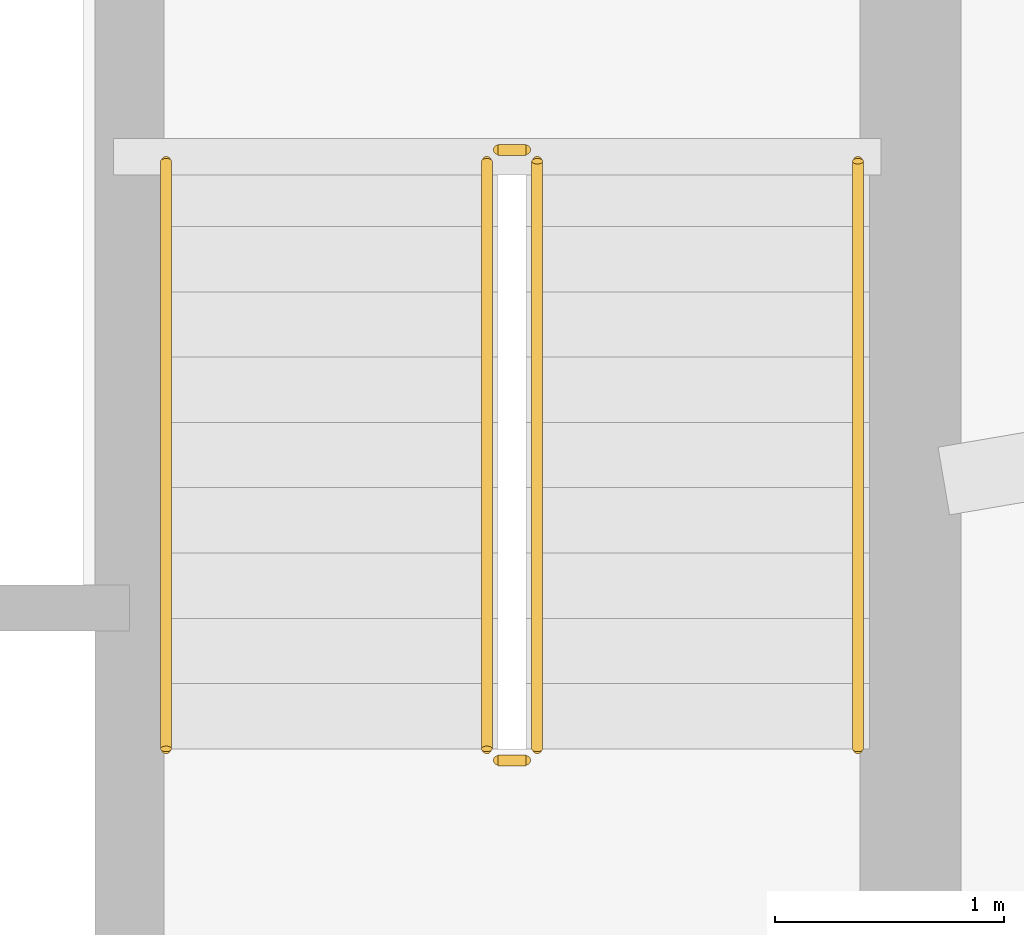
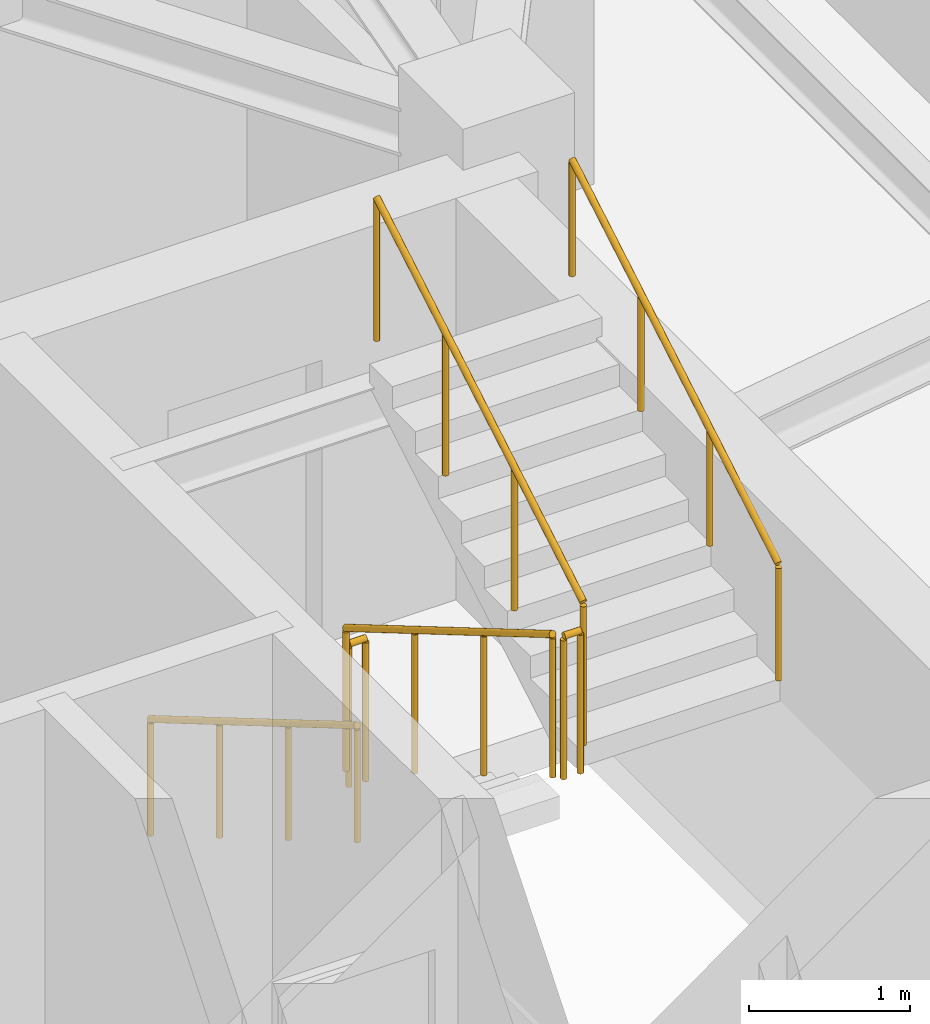
# One storey, part 11 of 11: 6 railings.
"""IFC4 building model written with IfcOpenShell, lengths in metres."""

from ifc_helpers import new_model, si_unit, direction, frame, origin, origin_2d, place, context, subcontext, project, spatial, circle, extrude, material, type_object, element, save


model = new_model("IFC4")

# Units and contexts
model_context = context("Model", 3, precision=1e-05, world=origin(), true_north=direction((0.0, 1.0)))
body_context = subcontext(model_context, "Body", "Model", "MODEL_VIEW")
ifc_project = project(units=[si_unit("LENGTHUNIT", "METRE"), si_unit("AREAUNIT", "SQUARE_METRE"), si_unit("VOLUMEUNIT", "CUBIC_METRE"), si_unit("PLANEANGLEUNIT", "RADIAN"), si_unit("MASSUNIT", "GRAM", prefix="KILO")], contexts=[model_context])

# Site, building, storey
site_placement = place(None, origin())
site = spatial("IfcSite", under=ifc_project, at=site_placement, CompositionType="ELEMENT")
building_placement = place(site_placement, origin())
building = spatial("IfcBuilding", under=site, at=building_placement, Name="Qobustan Lattice House", CompositionType="ELEMENT")
storey_placement = place(building_placement, frame((0.0, 0.0, 245.050048828125)))
storey = spatial("IfcBuildingStorey", under=building, at=storey_placement, Name="L69", CompositionType="ELEMENT", Elevation=245.050048828125)

# Railings
ifc_material_1 = material(Name="Brushed stainless steel handrail", Category="steel")
railing_type_1 = type_object("IfcRailingType", Name="RAL-HR-920", PredefinedType="HANDRAIL", material=ifc_material_1)
railing_1_placement = place(storey_placement, frame((15.179931640625, 3.5, 0.16748046875)))
element("IfcRailing", 1, at=railing_1_placement, inside=storey, type_object=railing_type_1, Name="L69 ST-E1 stair handrail 1", PredefinedType="HANDRAIL", context=body_context, shape_type="SweptSolid", body=[
    extrude(circle(Radius=0.02392578125, at=origin_2d()), frame((0.0, 0.0, 0.8759765625), z_axis=(0.0, -0.862113467892, 0.50671527358), x_axis=(1.0, 0.0, 0.0)), (0.0, 0.0, 1.0), 2.97509765625),
    extrude(circle(Radius=0.02099609375, at=origin_2d()), origin(), (0.0, 0.0, 1.0), 0.851806640625),
    extrude(circle(Radius=0.02099609375, at=origin_2d()), frame((0.0, -0.85498046875, 0.50244140625)), (0.0, 0.0, 1.0), 0.851806640625),
    extrude(circle(Radius=0.02099609375, at=origin_2d()), frame((0.0, -1.7099609375, 1.005126953125)), (0.0, 0.0, 1.0), 0.851806640625),
    extrude(circle(Radius=0.02099609375, at=origin_2d()), frame((0.0, -2.56494140625, 1.507568359375)), (0.0, 0.0, 1.0), 0.851806640625),
])
railing_2_placement = place(storey_placement, frame((18.199951171875, 0.93505859375, 1.842529296875)))
element("IfcRailing", 2, at=railing_2_placement, inside=storey, type_object=railing_type_1, Name="L69 ST-E1 stair handrail 2", PredefinedType="HANDRAIL", context=body_context, shape_type="SweptSolid", body=[
    extrude(circle(Radius=0.02392578125, at=origin_2d()), frame((0.0, 0.0, 0.8759765625), z_axis=(0.0, 0.862149314443, 0.506654280161), x_axis=(-1.0, 0.0, 0.0)), (0.0, 0.0, 1.0), 2.97509765625),
    extrude(circle(Radius=0.02099609375, at=origin_2d()), origin(), (0.0, 0.0, 1.0), 0.851806640625),
    extrude(circle(Radius=0.02099609375, at=origin_2d()), frame((0.0, 0.85498046875, 0.50244140625)), (0.0, 0.0, 1.0), 0.851806640625),
    extrude(circle(Radius=0.02099609375, at=origin_2d()), frame((0.0, 1.7099609375, 1.0048828125)), (0.0, 0.0, 1.0), 0.851806640625),
    extrude(circle(Radius=0.02099609375, at=origin_2d()), frame((0.0, 2.56494140625, 1.50732421875)), (0.0, 0.0, 1.0), 0.851806640625),
])
ifc_material_2 = material(Name="Painted galvanized steel guardrail", Category="steel")
railing_type_2 = type_object("IfcRailingType", Name="RAL-STG-1150", PredefinedType="GUARDRAIL", material=ifc_material_2)
railing_3_placement = place(storey_placement, frame((16.580078125, 3.5, 0.16748046875)))
element("IfcRailing", 3, at=railing_3_placement, inside=storey, type_object=railing_type_2, Name="L69 ST-E1 stair guard 1", PredefinedType="GUARDRAIL", context=body_context, shape_type="SweptSolid", body=[
    extrude(circle(Radius=0.02392578125, at=origin_2d()), frame((0.0, 0.0, 1.076171875), z_axis=(0.0, -0.862113467892, 0.50671527358), x_axis=(1.0, 0.0, 0.0)), (0.0, 0.0, 1.0), 2.97509765625),
    extrude(circle(Radius=0.02099609375, at=origin_2d()), origin(), (0.0, 0.0, 1.0), 1.052001953125),
    extrude(circle(Radius=0.02099609375, at=origin_2d()), frame((0.0, -0.85498046875, 0.50244140625)), (0.0, 0.0, 1.0), 1.052001953125),
    extrude(circle(Radius=0.02099609375, at=origin_2d()), frame((0.0, -1.7099609375, 1.005126953125)), (0.0, 0.0, 1.0), 1.052001953125),
    extrude(circle(Radius=0.02099609375, at=origin_2d()), frame((0.0, -2.56494140625, 1.507568359375)), (0.0, 0.0, 1.0), 1.052001953125),
])
railing_4_placement = place(storey_placement, frame((16.6298828125, 0.885009765625, 1.675048828125)))
element("IfcRailing", 4, at=railing_4_placement, inside=storey, type_object=railing_type_2, Name="L69 ST-E1 stair guard 2", PredefinedType="GUARDRAIL", context=body_context, shape_type="SweptSolid", body=[
    extrude(circle(Radius=0.02392578125, at=origin_2d()), frame((0.0, 0.0, 1.076171875), z_axis=(1.0, 0.0, 0.0), x_axis=(0.0, 1.0, 0.0)), (0.0, 0.0, 1.0), 0.1201171875),
    extrude(circle(Radius=0.02099609375, at=origin_2d()), origin(), (0.0, 0.0, 1.0), 1.052001953125),
    extrude(circle(Radius=0.02099609375, at=origin_2d()), frame((0.1201171875, 0.0, 0.0)), (0.0, 0.0, 1.0), 1.052001953125),
])
railing_5_placement = place(storey_placement, frame((16.800048828125, 0.93505859375, 1.842529296875)))
element("IfcRailing", 5, at=railing_5_placement, inside=storey, type_object=railing_type_2, Name="L69 ST-E1 stair guard 3", PredefinedType="GUARDRAIL", context=body_context, shape_type="SweptSolid", body=[
    extrude(circle(Radius=0.02392578125, at=origin_2d()), frame((0.0, 0.0, 1.076171875), z_axis=(0.0, 0.862149314443, 0.506654280161), x_axis=(-1.0, 0.0, 0.0)), (0.0, 0.0, 1.0), 2.97509765625),
    extrude(circle(Radius=0.02099609375, at=origin_2d()), origin(), (0.0, 0.0, 1.0), 1.052001953125),
    extrude(circle(Radius=0.02099609375, at=origin_2d()), frame((0.0, 0.85498046875, 0.50244140625)), (0.0, 0.0, 1.0), 1.052001953125),
    extrude(circle(Radius=0.02099609375, at=origin_2d()), frame((0.0, 1.7099609375, 1.0048828125)), (0.0, 0.0, 1.0), 1.052001953125),
    extrude(circle(Radius=0.02099609375, at=origin_2d()), frame((0.0, 2.56494140625, 1.50732421875)), (0.0, 0.0, 1.0), 1.052001953125),
])
railing_6_placement = place(storey_placement, frame((16.6298828125, 3.550048828125, 0.0)))
element("IfcRailing", 6, at=railing_6_placement, inside=storey, type_object=railing_type_2, Name="L69 ST-E1 stair guard 4", PredefinedType="GUARDRAIL", context=body_context, shape_type="SweptSolid", body=[
    extrude(circle(Radius=0.02392578125, at=origin_2d()), frame((0.0, 0.0, 1.076171875), z_axis=(1.0, 0.0, 0.0), x_axis=(0.0, 1.0, 0.0)), (0.0, 0.0, 1.0), 0.1201171875),
    extrude(circle(Radius=0.02099609375, at=origin_2d()), origin(), (0.0, 0.0, 1.0), 1.052001953125),
    extrude(circle(Radius=0.02099609375, at=origin_2d()), frame((0.1201171875, 0.0, 0.0)), (0.0, 0.0, 1.0), 1.052001953125),
])

save(model, "model.ifc")
